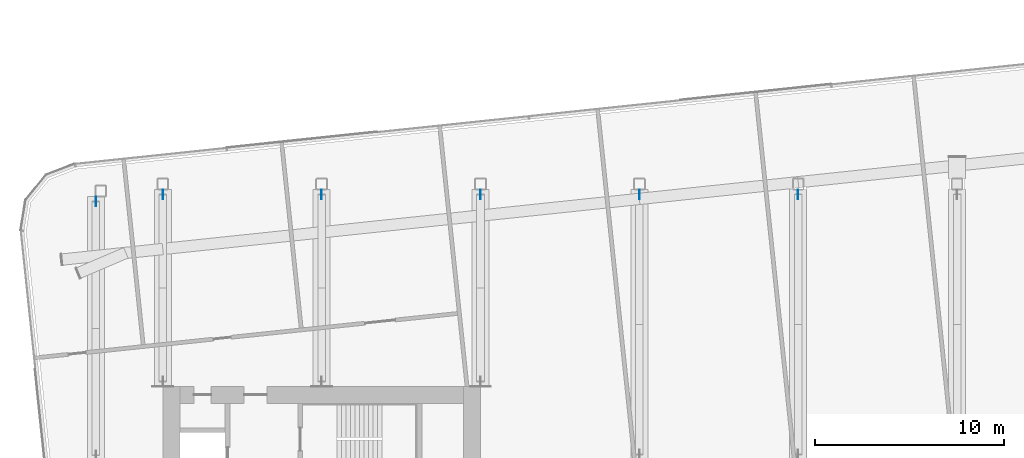
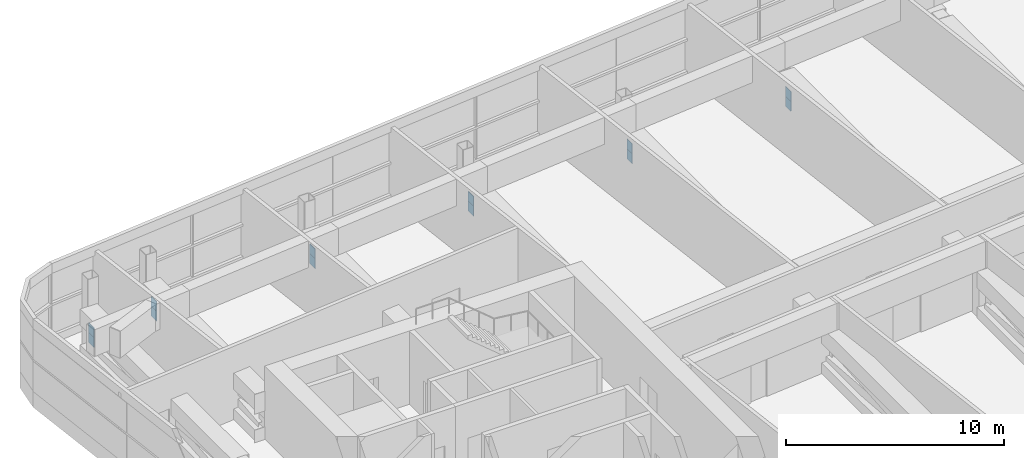
# One storey, part 26 of 33: 12 discrete accessories.
"""IFC4 building model written with IfcOpenShell, lengths in metres."""

from ifc_helpers import new_model, si_unit, direction, frame, origin, origin_2d, place, context, subcontext, project, spatial, rectangle, extrude, material, material_profile, profile_set, type_object, element, save


model = new_model("IFC4")

# Units and contexts
model_context = context("Model", 3, precision=1e-05, world=origin(), true_north=direction((0.0, 1.0)))
body_context = subcontext(model_context, "Body", "Model", "MODEL_VIEW")
ifc_project = project(units=[si_unit("LENGTHUNIT", "METRE"), si_unit("AREAUNIT", "SQUARE_METRE"), si_unit("VOLUMEUNIT", "CUBIC_METRE"), si_unit("PLANEANGLEUNIT", "RADIAN"), si_unit("MASSUNIT", "GRAM", prefix="KILO")], contexts=[model_context])

# Site, building, storey
site_placement = place(None, origin())
site = spatial("IfcSite", under=ifc_project, at=site_placement, CompositionType="ELEMENT")
building_placement = place(site_placement, origin())
building = spatial("IfcBuilding", under=site, at=building_placement, Name="Hakoniwa Tower and Hamabe Station Hall", CompositionType="ELEMENT")
storey_placement = place(building_placement, frame((0.0, 0.0, 228.199951171875)))
storey = spatial("IfcBuildingStorey", under=building, at=storey_placement, Name="L65", CompositionType="ELEMENT", Elevation=228.199951171875)

# Discrete accessories
ifc_material = material(Name="Steel SN490C", Category="steel")
ifc_material_profile = material_profile(ifc_material, rectangle(XDim=0.5, YDim=0.550048828125, at=origin_2d()), Name="GUSSET PLATE BX-500x400x22")
ifc_profile_set = profile_set([ifc_material_profile], Name="Steel SN490C")
discrete_accessory_type = type_object("IfcDiscreteAccessoryType", Name="GUSSET PLATE BX-500x400x22", PredefinedType="USERDEFINED", material=ifc_profile_set)
for number, where, z_axis, x_axis, name in (
    (1, (-37.12646484375, 18.177978515625, 1.425048828125), (-1.0, 0.0, 0.0), (0.0, -1.0, 0.0), "Gusset plate T4-001-D03A"),
    (2, (-37.12646484375, 18.177978515625, 0.875), (-1.0, 0.0, 0.0), (0.0, -1.0, 0.0), "Gusset plate T4-001-D03B"),
    (3, (-33.58740234375, 18.550048828125, 1.425048828125), (-1.0, 0.0, 0.0), (0.0, -1.0, 0.0), "Gusset plate T4-004-D01A"),
    (4, (-33.58740234375, 18.550048828125, 0.875), (-1.0, 0.0, 0.0), (0.0, -1.0, 0.0), "Gusset plate T4-004-D01B"),
):
    element("IfcDiscreteAccessory", number, at=place(storey_placement, frame(where, z_axis=z_axis, x_axis=x_axis)), inside=storey, type_object=discrete_accessory_type, Name=name, ObjectType="GUSSET PLATE", PredefinedType="USERDEFINED", context=body_context, shape_type="SweptSolid", body=[
        extrude(rectangle(XDim=0.5, YDim=0.550048828125, at=origin_2d()), origin(), (0.0, 0.0, 1.0), 0.025146484375),
    ])
for number, where, z_axis, x_axis, name in (
    (5, (-25.1875, 18.550048828125, 1.425048828125), (-1.0, 0.0, 0.0), (0.0, -1.0, 0.0), "Gusset plate T4-006-D01A"),
    (6, (-25.1875, 18.550048828125, 0.875), (-1.0, 0.0, 0.0), (0.0, -1.0, 0.0), "Gusset plate T4-006-D01B"),
    (7, (-16.78759765625, 18.550048828125, 1.425048828125), (-1.0, 0.0, 0.0), (0.0, -1.0, 0.0), "Gusset plate T4-008-D01A"),
    (8, (-16.78759765625, 18.550048828125, 0.875), (-1.0, 0.0, 0.0), (0.0, -1.0, 0.0), "Gusset plate T4-008-D01B"),
):
    element("IfcDiscreteAccessory", number, at=place(storey_placement, frame(where, z_axis=z_axis, x_axis=x_axis)), inside=storey, type_object=discrete_accessory_type, Name=name, ObjectType="GUSSET PLATE", PredefinedType="USERDEFINED", context=body_context, shape_type="SweptSolid", body=[
        extrude(rectangle(XDim=0.5, YDim=0.550048828125, at=origin_2d()), origin(), (0.0, 0.0, 1.0), 0.02490234375),
    ])
for number, where, z_axis, x_axis, name in (
    (9, (-8.387451171875, 18.550048828125, 1.425048828125), (-1.0, 0.0, 0.0), (0.0, -1.0, 0.0), "Gusset plate T4-009-D03A"),
    (10, (-8.387451171875, 18.550048828125, 0.875), (-1.0, 0.0, 0.0), (0.0, -1.0, 0.0), "Gusset plate T4-009-D03B"),
):
    element("IfcDiscreteAccessory", number, at=place(storey_placement, frame(where, z_axis=z_axis, x_axis=x_axis)), inside=storey, type_object=discrete_accessory_type, Name=name, ObjectType="GUSSET PLATE", PredefinedType="USERDEFINED", context=body_context, shape_type="SweptSolid", body=[
        extrude(rectangle(XDim=0.5, YDim=0.550048828125, at=origin_2d()), origin(), (0.0, 0.0, 1.0), 0.025146484375),
    ])
for number, where, z_axis, x_axis, name in (
    (11, (0.012451171875, 18.550048828125, 1.425048828125), (-1.0, 0.0, 0.0), (0.0, -1.0, 0.0), "Gusset plate T4-010-D03A"),
    (12, (0.012451171875, 18.550048828125, 0.875), (-1.0, 0.0, 0.0), (0.0, -1.0, 0.0), "Gusset plate T4-010-D03B"),
):
    element("IfcDiscreteAccessory", number, at=place(storey_placement, frame(where, z_axis=z_axis, x_axis=x_axis)), inside=storey, type_object=discrete_accessory_type, Name=name, ObjectType="GUSSET PLATE", PredefinedType="USERDEFINED", context=body_context, shape_type="SweptSolid", body=[
        extrude(rectangle(XDim=0.5, YDim=0.550048828125, at=origin_2d()), origin(), (0.0, 0.0, 1.0), 0.02490234375),
    ])

save(model, "model.ifc")
